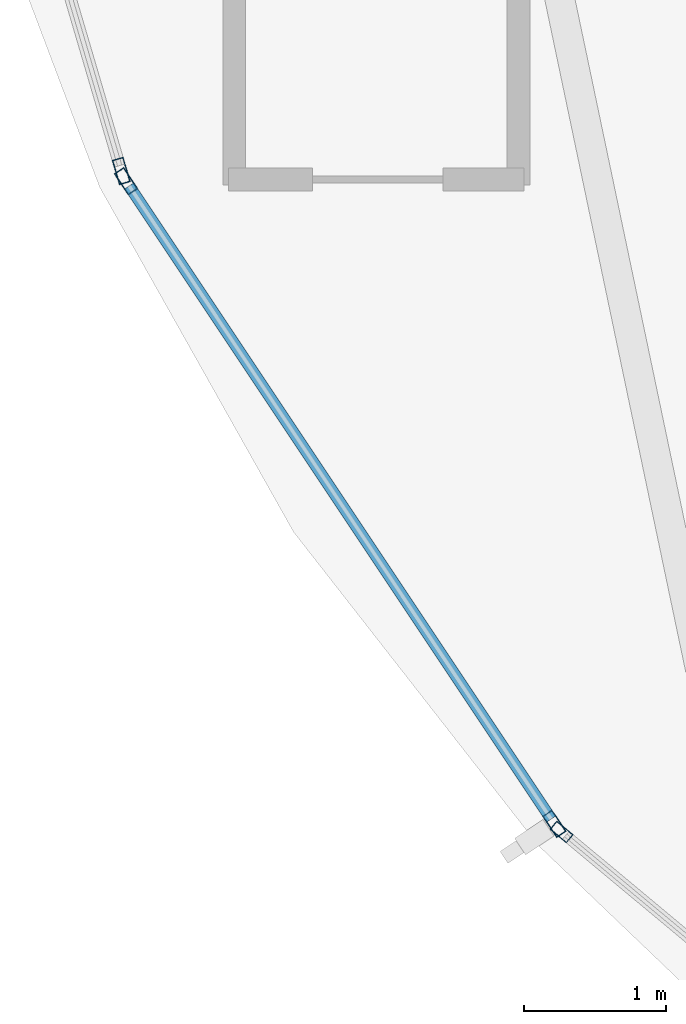
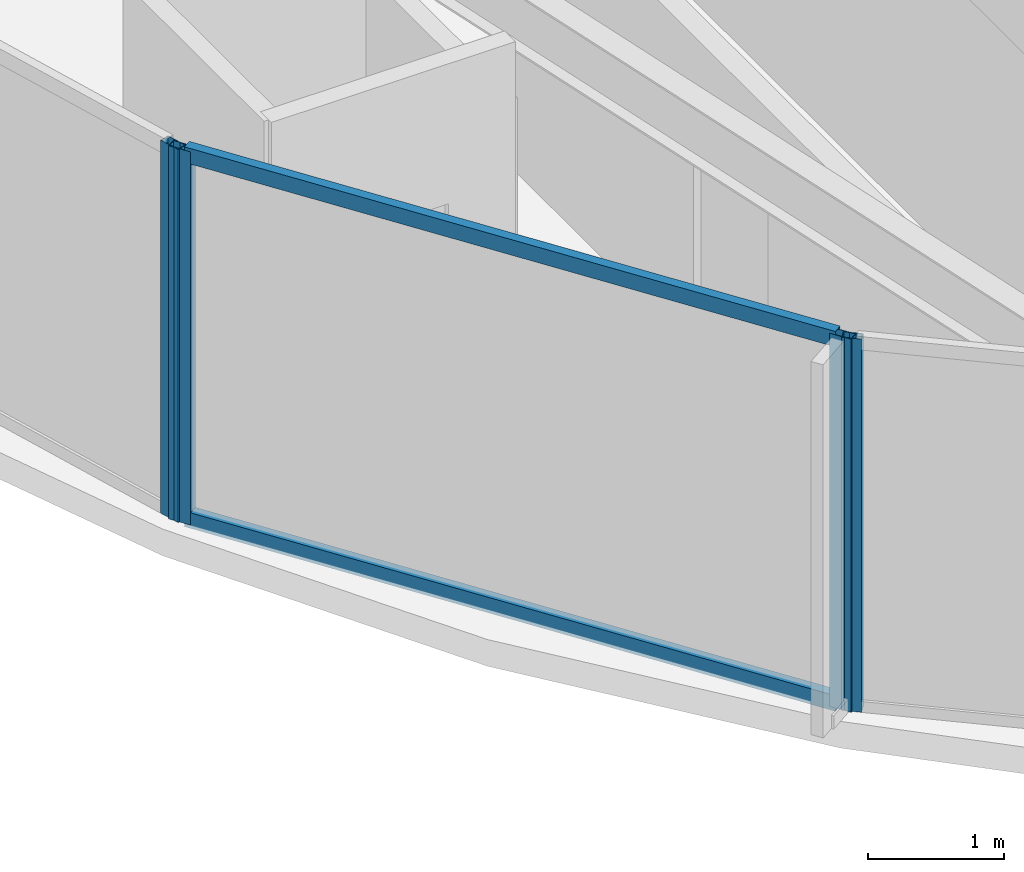
# One storey, part 3 of 28: 6 members, 3 elements without a shape of their own.
"""IFC4 building model written with IfcOpenShell, lengths in metres."""

from ifc_helpers import new_model, si_unit, direction, frame, origin, origin_2d, place, context, subcontext, project, spatial, hollow_rectangle, extrude, material, layer, layer_set, material_profile, profile_set, type_object, element, aggregate, save


model = new_model("IFC4")

# Units and contexts
model_context = context("Model", 3, precision=1e-05, world=origin(), true_north=direction((0.0, 1.0)))
body_context = subcontext(model_context, "Body", "Model", "MODEL_VIEW")
ifc_project = project(units=[si_unit("LENGTHUNIT", "METRE"), si_unit("AREAUNIT", "SQUARE_METRE"), si_unit("VOLUMEUNIT", "CUBIC_METRE"), si_unit("PLANEANGLEUNIT", "RADIAN"), si_unit("MASSUNIT", "GRAM", prefix="KILO")], contexts=[model_context])

# Site, building, storey
site_placement = place(None, origin())
site = spatial("IfcSite", under=ifc_project, at=site_placement, CompositionType="ELEMENT")
building_placement = place(site_placement, origin())
building = spatial("IfcBuilding", under=site, at=building_placement, Name="Kazevale Care Tower and Concert Hall", CompositionType="ELEMENT")
storey_placement = place(building_placement, frame((0.0, 0.0, 228.0)))
storey = spatial("IfcBuildingStorey", under=building, at=storey_placement, Name="L60", CompositionType="ELEMENT", Elevation=228.0)

# Curtain wall, members
ifc_material_1 = material(Name="Aluminium 6063-T6 and Low-E Glass", Category="aluminium")
ifc_layer_1 = layer(ifc_material_1, 0.179931640625)
ifc_layer_set_1 = layer_set([ifc_layer_1], Name="Aluminium 6063-T6 and Low-E Glass")
curtain_wall_type_1 = type_object("IfcCurtainWallType", Name="Waist & Upper Residential Curtain Wall CW-4", PredefinedType="NOTDEFINED", material=ifc_layer_set_1)
curtain_wall_1_placement = place(storey_placement, origin())
curtain_wall_1 = element("IfcCurtainWall", 1, at=curtain_wall_1_placement, inside=storey, type_object=curtain_wall_type_1, Name="cw:L60:f11", PredefinedType="NOTDEFINED")
ifc_material_2 = material(Name="Aluminium 6063-T6", Category="aluminium")
ifc_material_profile_1 = material_profile(ifc_material_2, hollow_rectangle(XDim=0.080078125, YDim=0.179931640625, WallThickness=0.0048828125, at=origin_2d()), Name="ALU80x180x5")
ifc_profile_set_1 = profile_set([ifc_material_profile_1], Name="Aluminium 6063-T6")
member_type_1 = type_object("IfcMemberType", Name="CW-4 Mullion ALU80x180x5", PredefinedType="MULLION", material=ifc_profile_set_1)
member_1_placement = place(storey_placement, frame((18.185791015625, 25.26318359375, 0.0), z_axis=(0.0, 0.0, 1.0), x_axis=(-0.832106058512, -0.554616540853, 0.0)))
member_1 = element("IfcMember", 2, at=member_1_placement, type_object=member_type_1, Name="CW-4 mullion 1", PredefinedType="MULLION", context=body_context, shape_type="SweptSolid", body=[
    extrude(hollow_rectangle(XDim=0.080078125, YDim=0.179931640625, WallThickness=0.0048828125, at=origin_2d()), origin(), (0.0, 0.0, 1.0), 3.360107421875),
])
member_2_placement = place(storey_placement, frame((15.170166015625, 29.78759765625, 0.0), z_axis=(0.0, 0.0, 1.0), x_axis=(-0.832106058512, -0.554616540853, 0.0)))
member_2 = element("IfcMember", 3, at=member_2_placement, type_object=member_type_1, Name="CW-4 mullion 2", PredefinedType="MULLION", context=body_context, shape_type="SweptSolid", body=[
    extrude(hollow_rectangle(XDim=0.080078125, YDim=0.179931640625, WallThickness=0.0048828125, at=origin_2d()), origin(), (0.0, 0.0, 1.0), 3.360107421875),
])

# Curtain wall, member
curtain_wall_2_placement = place(storey_placement, origin())
curtain_wall_2 = element("IfcCurtainWall", 4, at=curtain_wall_2_placement, inside=storey, type_object=curtain_wall_type_1, Name="cw:L60:f12", PredefinedType="NOTDEFINED")
member_3_placement = place(storey_placement, frame((15.13671875, 29.859375, 0.0), z_axis=(0.0, 0.0, 1.0), x_axis=(-0.959385539982, -0.282098184457, 0.0)))
member_3 = element("IfcMember", 5, at=member_3_placement, type_object=member_type_1, Name="CW-4 mullion 1", PredefinedType="MULLION", context=body_context, shape_type="SweptSolid", body=[
    extrude(hollow_rectangle(XDim=0.080078125, YDim=0.179931640625, WallThickness=0.0048828125, at=origin_2d()), origin(), (0.0, 0.0, 1.0), 3.360107421875),
])
aggregate(curtain_wall_2, [member_3])

# Member
ifc_material_profile_2 = material_profile(ifc_material_2, hollow_rectangle(XDim=0.080078125, YDim=0.139892578125, WallThickness=0.00390625, at=origin_2d()), Name="ALU80x140x4")
ifc_profile_set_2 = profile_set([ifc_material_profile_2], Name="Aluminium 6063-T6")
member_type_2 = type_object("IfcMemberType", Name="CW-4 Transom ALU80x140x4", PredefinedType="USERDEFINED", material=ifc_profile_set_2)
member_4_placement = place(storey_placement, frame((18.16357421875, 25.296630859375, 0.0400390625), z_axis=(-0.554616059735, 0.832106379187, 0.0), x_axis=(-0.832106379187, -0.554616059735, 0.0)))
member_4 = element("IfcMember", 6, at=member_4_placement, type_object=member_type_2, Name="CW-4 transom 1.1", ObjectType="TRANSOM", PredefinedType="USERDEFINED", context=body_context, shape_type="SweptSolid", body=[
    extrude(hollow_rectangle(XDim=0.080078125, YDim=0.139892578125, WallThickness=0.00390625, at=origin_2d()), origin(), (0.0, 0.0, 1.0), 5.357177734375),
])

member_5_placement = place(storey_placement, frame((18.16357421875, 25.296630859375, 3.320068359375), z_axis=(-0.554616059735, 0.832106379187, 0.0), x_axis=(-0.832106379187, -0.554616059735, 0.0)))
member_5 = element("IfcMember", 7, at=member_5_placement, type_object=member_type_2, Name="CW-4 transom 1.2", ObjectType="TRANSOM", PredefinedType="USERDEFINED", context=body_context, shape_type="SweptSolid", body=[
    extrude(hollow_rectangle(XDim=0.080078125, YDim=0.139892578125, WallThickness=0.00390625, at=origin_2d()), origin(), (0.0, 0.0, 1.0), 5.357177734375),
])

aggregate(curtain_wall_1, [member_1, member_2, member_4, member_5])

# Curtain wall, member
ifc_layer_2 = layer(ifc_material_1, 0.179931640625)
ifc_layer_set_2 = layer_set([ifc_layer_2], Name="Aluminium 6063-T6 and Low-E Glass")
curtain_wall_type_2 = type_object("IfcCurtainWallType", Name="Sheltered Concave Balcony Curtain Wall CW-5", PredefinedType="NOTDEFINED", material=ifc_layer_set_2)
curtain_wall_3_placement = place(storey_placement, origin())
curtain_wall_3 = element("IfcCurtainWall", 8, at=curtain_wall_3_placement, inside=storey, type_object=curtain_wall_type_2, Name="cw:L60:f10", PredefinedType="NOTDEFINED")
ifc_material_profile_3 = material_profile(ifc_material_2, hollow_rectangle(XDim=0.074951171875, YDim=0.14990234375, WallThickness=0.00390625, at=origin_2d()), Name="ALU75x150x4")
ifc_profile_set_3 = profile_set([ifc_material_profile_3], Name="Aluminium 6063-T6")
member_type_3 = type_object("IfcMemberType", Name="CW-5 Mullion ALU75x150x4", PredefinedType="MULLION", material=ifc_profile_set_3)
member_6_placement = place(storey_placement, frame((18.23681640625, 25.2060546875, 0.0), z_axis=(0.0, 0.0, 1.0), x_axis=(-0.639961217204, -0.768407210062, 0.0)))
member_6 = element("IfcMember", 9, at=member_6_placement, type_object=member_type_3, Name="CW-5 mullion 2", PredefinedType="MULLION", context=body_context, shape_type="SweptSolid", body=[
    extrude(hollow_rectangle(XDim=0.074951171875, YDim=0.14990234375, WallThickness=0.00390625, at=origin_2d()), origin(), (0.0, 0.0, 1.0), 3.360107421875),
])
aggregate(curtain_wall_3, [member_6])

save(model, "model.ifc")
